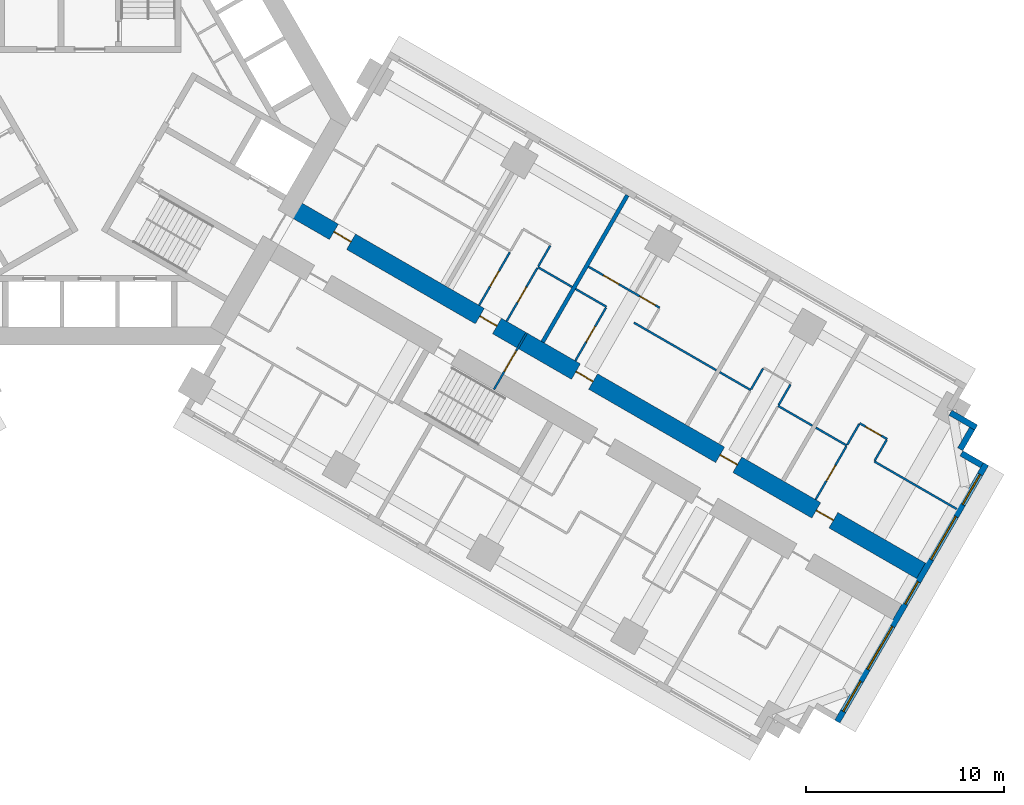
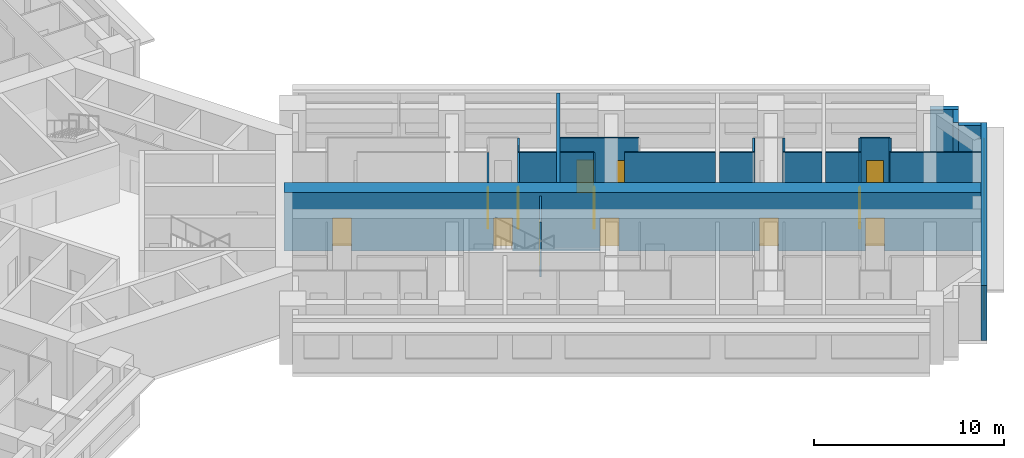
# One storey, part 12 of 16: 25 walls, 13 doors, 5 windows, 18 openings.
"""IFC4 building model written with IfcOpenShell, lengths in metres."""

from ifc_helpers import new_model, si_unit, direction, frame, frame_2d, origin, place, context, subcontext, project, spatial, rectangle, extrude, material, layer, layer_set, type_object, element, fill, save


model = new_model("IFC4")

# Units and contexts
model_context = context("Model", 3, precision=1e-05, world=origin(), true_north=direction((0.0, 1.0)))
body_context = subcontext(model_context, "Body", "Model", "MODEL_VIEW")
ifc_project = project(units=[si_unit("LENGTHUNIT", "METRE"), si_unit("AREAUNIT", "SQUARE_METRE"), si_unit("VOLUMEUNIT", "CUBIC_METRE"), si_unit("PLANEANGLEUNIT", "RADIAN"), si_unit("MASSUNIT", "GRAM", prefix="KILO")], contexts=[model_context])

# Site, building, storey
site_placement = place(None, origin())
site = spatial("IfcSite", under=ifc_project, at=site_placement, CompositionType="ELEMENT")
building_placement = place(site_placement, origin())
building = spatial("IfcBuilding", under=site, at=building_placement, Name="Impinga Residences", CompositionType="ELEMENT")
storey_placement = place(building_placement, frame((0.0, 0.0, 52.25)))
storey = spatial("IfcBuildingStorey", under=building, at=storey_placement, Name="L12", CompositionType="ELEMENT", Elevation=52.25)

# Wall, openings, doors
ifc_material_1 = material(Name="Concrete C70/85", Category="concrete")
ifc_layer_1 = layer(ifc_material_1, 0.89990234375)
ifc_layer_set_1 = layer_set([ifc_layer_1], Name="Concrete C70/85")
wall_type_1 = type_object("IfcWallType", Name="BW1 corridor buttress wall, L05 to L22 900", PredefinedType="SHEAR", material=ifc_layer_set_1)
wall_1_placement = place(storey_placement, frame((10.1103515625, -4.451416015625, 0.0), z_axis=(0.0, 0.0, 1.0), x_axis=(0.866025284237, -0.500000207062, 0.0)))
wall_1 = element("IfcWall", 1, at=wall_1_placement, inside=storey, type_object=wall_type_1, Name="Corridor wall BW1 EC L12", PredefinedType="SHEAR", context=body_context, shape_type="SweptSolid", body=[
    extrude(rectangle(XDim=36.75, YDim=0.89990234375, at=frame_2d((18.375, 0.0))), origin(), (0.0, 0.0, 1.0), 3.75),
])
opening_1_placement = place(wall_1_placement, frame((2.550048828125, 0.0, 0.0)))
opening_1 = element("IfcOpeningElement", 2, at=opening_1_placement, cuts=wall_1, Name="Opening D1", PredefinedType="OPENING", context=body_context, shape_type="SweptSolid", body=[
    extrude(rectangle(XDim=1.0, YDim=2.10009765625, at=frame_2d((0.5, 1.050048828125))), frame((0.0, 0.4599609375, 0.0), z_axis=(0.0, -1.0, 0.0), x_axis=(1.0, 0.0, 0.0)), (0.0, 0.0, 1.0), 0.919921875),
])
opening_2_placement = place(wall_1_placement, frame((11.050048828125, 0.0, 0.0)))
opening_2 = element("IfcOpeningElement", 3, at=opening_2_placement, cuts=wall_1, Name="Opening D1", PredefinedType="OPENING", context=body_context, shape_type="SweptSolid", body=[
    extrude(rectangle(XDim=1.0, YDim=2.10009765625, at=frame_2d((0.5, 1.050048828125))), frame((0.0, 0.4599609375, 0.0), z_axis=(0.0, -1.0, 0.0), x_axis=(1.0, 0.0, 0.0)), (0.0, 0.0, 1.0), 0.919921875),
])
opening_3_placement = place(wall_1_placement, frame((16.64990234375, 0.0, 0.0)))
opening_3 = element("IfcOpeningElement", 4, at=opening_3_placement, cuts=wall_1, Name="Opening D1", PredefinedType="OPENING", context=body_context, shape_type="SweptSolid", body=[
    extrude(rectangle(XDim=1.0, YDim=2.10009765625, at=frame_2d((0.5, 1.050048828125))), frame((0.0, 0.4599609375, 0.0), z_axis=(0.0, -1.0, 0.0), x_axis=(1.0, 0.0, 0.0)), (0.0, 0.0, 1.0), 0.919921875),
])
opening_4_placement = place(wall_1_placement, frame((25.050048828125, 0.0, 0.0)))
opening_4 = element("IfcOpeningElement", 5, at=opening_4_placement, cuts=wall_1, Name="Opening D1", PredefinedType="OPENING", context=body_context, shape_type="SweptSolid", body=[
    extrude(rectangle(XDim=1.0, YDim=2.10009765625, at=frame_2d((0.5, 1.050048828125))), frame((0.0, 0.4599609375, 0.0), z_axis=(0.0, -1.0, 0.0), x_axis=(1.0, 0.0, 0.0)), (0.0, 0.0, 1.0), 0.919921875),
])
opening_5_placement = place(wall_1_placement, frame((30.64990234375, 0.0, 0.0)))
opening_5 = element("IfcOpeningElement", 6, at=opening_5_placement, cuts=wall_1, Name="Opening D1", PredefinedType="OPENING", context=body_context, shape_type="SweptSolid", body=[
    extrude(rectangle(XDim=1.0, YDim=2.10009765625, at=frame_2d((0.5, 1.050048828125))), frame((0.0, 0.4599609375, 0.0), z_axis=(0.0, -1.0, 0.0), x_axis=(1.0, 0.0, 0.0)), (0.0, 0.0, 1.0), 0.919921875),
])
ifc_material_2 = material(Name="Timber door set", Category="wood")
door_type_1 = type_object("IfcDoorType", Name="D1 apartment entrance door 1000x2100", OperationType="SINGLE_SWING_LEFT", PredefinedType="DOOR", material=ifc_material_2)
door_1_placement = place(opening_1_placement, origin())
door_1 = element("IfcDoor", 7, at=door_1_placement, inside=storey, type_object=door_type_1, Name="Apartment L12-EA1 entrance", OperationType="SINGLE_SWING_LEFT", OverallHeight=2.10009765625, OverallWidth=1.0, PredefinedType="DOOR", context=body_context, shape_type="SweptSolid", body=[
    extrude(rectangle(XDim=1.0, YDim=2.10009765625, at=frame_2d((0.5, 1.050048828125))), frame((0.0, 0.02490234375, 0.0), z_axis=(0.0, -1.0, 0.0), x_axis=(1.0, 0.0, 0.0)), (0.0, 0.0, 1.0), 0.050048828125),
])
fill(opening_1, door_1)
door_2_placement = place(opening_2_placement, origin())
door_2 = element("IfcDoor", 8, at=door_2_placement, inside=storey, type_object=door_type_1, Name="Apartment L12-EA2 entrance", OperationType="SINGLE_SWING_LEFT", OverallHeight=2.10009765625, OverallWidth=1.0, PredefinedType="DOOR", context=body_context, shape_type="SweptSolid", body=[
    extrude(rectangle(XDim=1.0, YDim=2.10009765625, at=frame_2d((0.5, 1.050048828125))), frame((0.0, 0.02490234375, 0.0), z_axis=(0.0, -1.0, 0.0), x_axis=(1.0, 0.0, 0.0)), (0.0, 0.0, 1.0), 0.050048828125),
])
fill(opening_2, door_2)
door_3_placement = place(opening_3_placement, origin())
door_3 = element("IfcDoor", 9, at=door_3_placement, inside=storey, type_object=door_type_1, Name="Apartment L12-EA3 entrance", OperationType="SINGLE_SWING_LEFT", OverallHeight=2.10009765625, OverallWidth=1.0, PredefinedType="DOOR", context=body_context, shape_type="SweptSolid", body=[
    extrude(rectangle(XDim=1.0, YDim=2.10009765625, at=frame_2d((0.5, 1.050048828125))), frame((0.0, 0.02490234375, 0.0), z_axis=(0.0, -1.0, 0.0), x_axis=(1.0, 0.0, 0.0)), (0.0, 0.0, 1.0), 0.050048828125),
])
fill(opening_3, door_3)
door_4_placement = place(opening_4_placement, origin())
door_4 = element("IfcDoor", 10, at=door_4_placement, inside=storey, type_object=door_type_1, Name="Apartment L12-EA4 entrance", OperationType="SINGLE_SWING_RIGHT", OverallHeight=2.10009765625, OverallWidth=1.0, PredefinedType="DOOR", context=body_context, shape_type="SweptSolid", body=[
    extrude(rectangle(XDim=1.0, YDim=2.10009765625, at=frame_2d((0.5, 1.050048828125))), frame((0.0, 0.02490234375, 0.0), z_axis=(0.0, -1.0, 0.0), x_axis=(1.0, 0.0, 0.0)), (0.0, 0.0, 1.0), 0.050048828125),
])
fill(opening_4, door_4)
door_5_placement = place(opening_5_placement, origin())
door_5 = element("IfcDoor", 11, at=door_5_placement, inside=storey, type_object=door_type_1, Name="Apartment L12-EA5 entrance", OperationType="SINGLE_SWING_RIGHT", OverallHeight=2.10009765625, OverallWidth=1.0, PredefinedType="DOOR", context=body_context, shape_type="SweptSolid", body=[
    extrude(rectangle(XDim=1.0, YDim=2.10009765625, at=frame_2d((0.5, 1.050048828125))), frame((0.0, 0.02490234375, 0.0), z_axis=(0.0, -1.0, 0.0), x_axis=(1.0, 0.0, 0.0)), (0.0, 0.0, 1.0), 0.050048828125),
])
fill(opening_5, door_5)

# Wall, opening, door
ifc_material_3 = material(Name="Concrete blockwork", Category="masonry")
ifc_layer_2 = layer(ifc_material_3, 0.10009765625)
ifc_layer_set_2 = layer_set([ifc_layer_2], Name="CP1 core room partition, blockwork 100")
wall_type_2 = type_object("IfcWallType", Name="CP1 core room partition, blockwork 100", PredefinedType="PARTITIONING", material=ifc_layer_set_2)
wall_2_placement = place(storey_placement, frame((22.042724609375, -10.821044921875, 0.0), z_axis=(0.0, 0.0, 1.0), x_axis=(-0.50002983664, -0.866008176907, 0.0)))
wall_2 = element("IfcWall", 12, at=wall_2_placement, inside=storey, type_object=wall_type_2, Name="Core room partition, blockwork L12:E:SCR", PredefinedType="PARTITIONING", context=body_context, shape_type="SweptSolid", body=[
    extrude(rectangle(XDim=3.300048828125, YDim=0.10009765625, at=frame_2d((1.64990234375, 0.0))), origin(), (0.0, 0.0, 1.0), 3.530029296875),
])
opening_6_placement = place(wall_2_placement, frame((1.050048828125, 0.0, 0.0)))
opening_6 = element("IfcOpeningElement", 13, at=opening_6_placement, cuts=wall_2, Name="Opening D3", PredefinedType="OPENING", context=body_context, shape_type="SweptSolid", body=[
    extrude(rectangle(XDim=1.199951171875, YDim=2.10009765625, at=frame_2d((0.60009765625, 1.050048828125))), frame((0.0, 0.06005859375, 0.0), z_axis=(0.0, -1.0, 0.0), x_axis=(1.0, 0.0, 0.0)), (0.0, 0.0, 1.0), 0.1201171875),
])
door_type_2 = type_object("IfcDoorType", Name="D3 room door, leaf and a half 1200x2100", OperationType="DOUBLE_SWING_LEFT", PredefinedType="DOOR", material=ifc_material_2)
door_6_placement = place(opening_6_placement, origin())
door_6 = element("IfcDoor", 14, at=door_6_placement, inside=storey, type_object=door_type_2, Name="Corridor smoke door E", OperationType="DOUBLE_SWING_LEFT", OverallHeight=2.10009765625, OverallWidth=1.199951171875, PredefinedType="DOOR", context=body_context, shape_type="SweptSolid", body=[
    extrude(rectangle(XDim=1.199951171875, YDim=2.10009765625, at=frame_2d((0.60009765625, 1.050048828125))), frame((0.0, 0.02490234375, 0.0), z_axis=(0.0, -1.0, 0.0), x_axis=(1.0, 0.0, 0.0)), (0.0, 0.0, 1.0), 0.050048828125),
])
fill(opening_6, door_6)

# Walls
ifc_material_4 = material(Name="Terracotta rainscreen on blockwork", Category="masonry")
ifc_layer_3 = layer(ifc_material_4, 0.300048828125)
ifc_layer_set_3 = layer_set([ifc_layer_3], Name="EW1 external wall, terracotta rainscreen on blockwork 300")
wall_type_3 = type_object("IfcWallType", Name="EW1 external wall, terracotta rainscreen on blockwork 300", PredefinedType="SOLIDWALL", material=ifc_layer_set_3)
wall_3_placement = place(storey_placement, frame((43.42333984375, -14.8515625, 0.0), z_axis=(0.0, 0.0, 1.0), x_axis=(0.866031096941, -0.499990139034, 0.0)))
element("IfcWall", 15, at=wall_3_placement, inside=storey, type_object=wall_type_3, Name="External wall EW1 L12", PredefinedType="SOLIDWALL", context=body_context, shape_type="SweptSolid", body=[
    extrude(rectangle(XDim=1.5, YDim=0.300048828125, at=frame_2d((0.75, 0.0))), origin(), (0.0, 0.0, 1.0), 3.530029296875),
])
wall_4_placement = place(storey_placement, frame((44.517578125, -15.65625, 0.0), z_axis=(0.0, 0.0, 1.0), x_axis=(-0.500033551112, -0.866006032174, 0.0)))
element("IfcWall", 16, at=wall_4_placement, inside=storey, type_object=wall_type_3, Name="External wall EW1 L12", PredefinedType="SOLIDWALL", context=body_context, shape_type="SweptSolid", body=[
    extrude(rectangle(XDim=1.2001953125, YDim=0.300048828125, at=frame_2d((0.60009765625, 0.0))), origin(), (0.0, 0.0, 1.0), 3.530029296875),
])
wall_5_placement = place(storey_placement, frame((43.976806640625, -16.903076171875, 0.0), z_axis=(0.0, 0.0, 1.0), x_axis=(0.866059708757, -0.499940577336, 0.0)))
element("IfcWall", 17, at=wall_5_placement, inside=storey, type_object=wall_type_3, Name="External wall EW1 L12", PredefinedType="SOLIDWALL", context=body_context, shape_type="SweptSolid", body=[
    extrude(rectangle(XDim=1.195068359375, YDim=0.300048828125, at=frame_2d((0.59765625, 0.0))), origin(), (0.0, 0.0, 1.0), 3.530029296875),
])

# Wall, openings, windows
wall_6_placement = place(storey_placement, frame((45.216552734375, -17.445556640625, 0.0), z_axis=(0.0, 0.0, 1.0), x_axis=(-0.499997186618, -0.866027028085, 0.0)))
wall_6 = element("IfcWall", 18, at=wall_6_placement, inside=storey, type_object=wall_type_3, Name="External wall EW1 L12", PredefinedType="SOLIDWALL", context=body_context, shape_type="SweptSolid", body=[
    extrude(rectangle(XDim=15.0, YDim=0.300048828125, at=frame_2d((7.5, 0.0))), origin(), (0.0, 0.0, 1.0), 3.530029296875),
])
opening_7_placement = place(wall_6_placement, frame((0.60009765625, 0.0, 0.89990234375)))
opening_7 = element("IfcOpeningElement", 19, at=opening_7_placement, cuts=wall_6, Name="Opening W1", PredefinedType="OPENING", context=body_context, shape_type="SweptSolid", body=[
    extrude(rectangle(XDim=1.75, YDim=2.050048828125, at=frame_2d((0.875, 1.02490234375))), frame((0.0, 0.159912109375, 0.0), z_axis=(0.0, -1.0, 0.0), x_axis=(1.0, 0.0, 0.0)), (0.0, 0.0, 1.0), 0.320068359375),
])
opening_8_placement = place(wall_6_placement, frame((3.050048828125, 0.0, 0.89990234375)))
opening_8 = element("IfcOpeningElement", 20, at=opening_8_placement, cuts=wall_6, Name="Opening W2", PredefinedType="OPENING", context=body_context, shape_type="SweptSolid", body=[
    extrude(rectangle(XDim=2.5, YDim=2.050048828125, at=frame_2d((1.25, 1.02490234375))), frame((0.0, 0.159912109375, 0.0), z_axis=(0.0, -1.0, 0.0), x_axis=(1.0, 0.0, 0.0)), (0.0, 0.0, 1.0), 0.320068359375),
])
opening_9_placement = place(wall_6_placement, frame((6.85009765625, 0.0, 0.89990234375)))
opening_9 = element("IfcOpeningElement", 21, at=opening_9_placement, cuts=wall_6, Name="Opening WE1", PredefinedType="OPENING", context=body_context, shape_type="SweptSolid", body=[
    extrude(rectangle(XDim=1.300048828125, YDim=2.050048828125, at=frame_2d((0.64990234375, 1.02490234375))), frame((0.0, 0.159912109375, 0.0), z_axis=(0.0, -1.0, 0.0), x_axis=(1.0, 0.0, 0.0)), (0.0, 0.0, 1.0), 0.320068359375),
])
opening_10_placement = place(wall_6_placement, frame((9.449951171875, 0.0, 0.89990234375)))
opening_10 = element("IfcOpeningElement", 22, at=opening_10_placement, cuts=wall_6, Name="Opening W2", PredefinedType="OPENING", context=body_context, shape_type="SweptSolid", body=[
    extrude(rectangle(XDim=2.5, YDim=2.050048828125, at=frame_2d((1.25, 1.02490234375))), frame((0.0, 0.159912109375, 0.0), z_axis=(0.0, -1.0, 0.0), x_axis=(1.0, 0.0, 0.0)), (0.0, 0.0, 1.0), 0.320068359375),
])
opening_11_placement = place(wall_6_placement, frame((12.64990234375, 0.0, 0.89990234375)))
opening_11 = element("IfcOpeningElement", 23, at=opening_11_placement, cuts=wall_6, Name="Opening W1", PredefinedType="OPENING", context=body_context, shape_type="SweptSolid", body=[
    extrude(rectangle(XDim=1.75, YDim=2.050048828125, at=frame_2d((0.875, 1.02490234375))), frame((0.0, 0.159912109375, 0.0), z_axis=(0.0, -1.0, 0.0), x_axis=(1.0, 0.0, 0.0)), (0.0, 0.0, 1.0), 0.320068359375),
])
ifc_material_5 = material(Name="Aluminium window, clear double glazing", Category="aluminium")
window_type_1 = type_object("IfcWindowType", Name="W1 ribbon window 1750x2050", PartitioningType="SINGLE_PANEL", PredefinedType="WINDOW", material=ifc_material_5)
window_1_placement = place(opening_7_placement, origin())
window_1 = element("IfcWindow", 24, at=window_1_placement, inside=storey, type_object=window_type_1, Name="Window L12", OverallHeight=2.050048828125, OverallWidth=1.75, PartitioningType="SINGLE_PANEL", PredefinedType="WINDOW", context=body_context, shape_type="SweptSolid", body=[
    extrude(rectangle(XDim=1.75, YDim=2.050048828125, at=frame_2d((0.875, 1.02490234375))), frame((0.0, 0.030029296875, 0.0), z_axis=(0.0, -1.0, 0.0), x_axis=(1.0, 0.0, 0.0)), (0.0, 0.0, 1.0), 0.06005859375),
])
fill(opening_7, window_1)
window_2_placement = place(opening_11_placement, origin())
window_2 = element("IfcWindow", 25, at=window_2_placement, inside=storey, type_object=window_type_1, Name="Window L12", OverallHeight=2.050048828125, OverallWidth=1.75, PartitioningType="SINGLE_PANEL", PredefinedType="WINDOW", context=body_context, shape_type="SweptSolid", body=[
    extrude(rectangle(XDim=1.75, YDim=2.050048828125, at=frame_2d((0.875, 1.02490234375))), frame((0.0, 0.030029296875, 0.0), z_axis=(0.0, -1.0, 0.0), x_axis=(1.0, 0.0, 0.0)), (0.0, 0.0, 1.0), 0.06005859375),
])
fill(opening_11, window_2)
window_type_2 = type_object("IfcWindowType", Name="W2 ribbon window 2500x2050", PartitioningType="SINGLE_PANEL", PredefinedType="WINDOW", material=ifc_material_5)
window_3_placement = place(opening_8_placement, origin())
window_3 = element("IfcWindow", 26, at=window_3_placement, inside=storey, type_object=window_type_2, Name="Window L12", OverallHeight=2.050048828125, OverallWidth=2.5, PartitioningType="SINGLE_PANEL", PredefinedType="WINDOW", context=body_context, shape_type="SweptSolid", body=[
    extrude(rectangle(XDim=2.5, YDim=2.050048828125, at=frame_2d((1.25, 1.02490234375))), frame((0.0, 0.030029296875, 0.0), z_axis=(0.0, -1.0, 0.0), x_axis=(1.0, 0.0, 0.0)), (0.0, 0.0, 1.0), 0.06005859375),
])
fill(opening_8, window_3)
window_4_placement = place(opening_10_placement, origin())
window_4 = element("IfcWindow", 27, at=window_4_placement, inside=storey, type_object=window_type_2, Name="Window L12", OverallHeight=2.050048828125, OverallWidth=2.5, PartitioningType="SINGLE_PANEL", PredefinedType="WINDOW", context=body_context, shape_type="SweptSolid", body=[
    extrude(rectangle(XDim=2.5, YDim=2.050048828125, at=frame_2d((1.25, 1.02490234375))), frame((0.0, 0.030029296875, 0.0), z_axis=(0.0, -1.0, 0.0), x_axis=(1.0, 0.0, 0.0)), (0.0, 0.0, 1.0), 0.06005859375),
])
fill(opening_10, window_4)
window_type_3 = type_object("IfcWindowType", Name="WE1 corridor window 1300x2050", PartitioningType="SINGLE_PANEL", PredefinedType="WINDOW", material=ifc_material_5)
window_5_placement = place(opening_9_placement, origin())
window_5 = element("IfcWindow", 28, at=window_5_placement, inside=storey, type_object=window_type_3, Name="Window L12", OverallHeight=2.050048828125, OverallWidth=1.300048828125, PartitioningType="SINGLE_PANEL", PredefinedType="WINDOW", context=body_context, shape_type="SweptSolid", body=[
    extrude(rectangle(XDim=1.300048828125, YDim=2.050048828125, at=frame_2d((0.64990234375, 1.02490234375))), frame((0.0, 0.030029296875, 0.0), z_axis=(0.0, -1.0, 0.0), x_axis=(1.0, 0.0, 0.0)), (0.0, 0.0, 1.0), 0.06005859375),
])
fill(opening_9, window_5)

# Walls
ifc_material_6 = material(Name="Gypsum board on steel studs", Category="steel")
ifc_layer_4 = layer(ifc_material_6, 0.10009765625)
ifc_layer_set_4 = layer_set([ifc_layer_4], Name="Gypsum board on steel studs")
wall_type_4 = type_object("IfcWallType", Name="IP1 partition 100", PredefinedType="PARTITIONING", material=ifc_layer_set_4)
wall_7_placement = place(storey_placement, frame((22.605712890625, -7.5087890625, 0.0), z_axis=(0.0, 0.0, 1.0), x_axis=(0.866010750942, -0.50002537861, 0.0)))
element("IfcWall", 29, at=wall_7_placement, inside=storey, type_object=wall_type_4, Name="Partition L12-EA2:DIV1", PredefinedType="PARTITIONING", context=body_context, shape_type="SweptSolid", body=[
    extrude(rectangle(XDim=2.0, YDim=0.10009765625, at=frame_2d((1.0, 0.0))), origin(), (0.0, 0.0, 1.0), 3.530029296875),
])
wall_8_placement = place(storey_placement, frame((22.630615234375, -7.465576171875, 0.0), z_axis=(0.0, 0.0, 1.0), x_axis=(0.500033551112, 0.866006032174, 0.0)))
element("IfcWall", 30, at=wall_8_placement, inside=storey, type_object=wall_type_4, Name="Partition L12-EA2:SE1", PredefinedType="PARTITIONING", context=body_context, shape_type="SweptSolid", body=[
    extrude(rectangle(XDim=1.2001953125, YDim=0.10009765625, at=frame_2d((0.60009765625, 0.0))), origin(), (0.0, 0.0, 1.0), 3.530029296875),
])

# Wall, opening, door
wall_9_placement = place(storey_placement, frame((19.64501953125, -9.436767578125, 0.0), z_axis=(0.0, 0.0, 1.0), x_axis=(0.500026960575, 0.86600983753, 0.0)))
wall_9 = element("IfcWall", 31, at=wall_9_placement, inside=storey, type_object=wall_type_4, Name="Partition L12-EA2:IB1", PredefinedType="PARTITIONING", context=body_context, shape_type="SweptSolid", body=[
    extrude(rectangle(XDim=3.099853515625, YDim=0.10009765625, at=frame_2d((1.5498046875, 0.0))), origin(), (0.0, 0.0, 1.0), 3.530029296875),
])
opening_12_placement = place(wall_9_placement, frame((1.10009765625, 0.0, 0.0)))
opening_12 = element("IfcOpeningElement", 32, at=opening_12_placement, cuts=wall_9, Name="Opening D2", PredefinedType="OPENING", context=body_context, shape_type="SweptSolid", body=[
    extrude(rectangle(XDim=0.89990234375, YDim=2.10009765625, at=frame_2d((0.449951171875, 1.050048828125))), frame((0.0, 0.06005859375, 0.0), z_axis=(0.0, -1.0, 0.0), x_axis=(1.0, 0.0, 0.0)), (0.0, 0.0, 1.0), 0.1201171875),
])
door_type_3 = type_object("IfcDoorType", Name="D2 internal door 900x2100", OperationType="SINGLE_SWING_LEFT", PredefinedType="DOOR", material=ifc_material_2)
door_7_placement = place(opening_12_placement, origin())
door_7 = element("IfcDoor", 33, at=door_7_placement, inside=storey, type_object=door_type_3, Name="Apartment L12-EA2 bathroom door", OperationType="SINGLE_SWING_LEFT", OverallHeight=2.10009765625, OverallWidth=0.89990234375, PredefinedType="DOOR", context=body_context, shape_type="SweptSolid", body=[
    extrude(rectangle(XDim=0.89990234375, YDim=2.10009765625, at=frame_2d((0.449951171875, 1.050048828125))), frame((0.0, 0.02490234375, 0.0), z_axis=(0.0, -1.0, 0.0), x_axis=(1.0, 0.0, 0.0)), (0.0, 0.0, 1.0), 0.050048828125),
])
fill(opening_12, door_7)

wall_10_placement = place(storey_placement, frame((21.03076171875, -10.23681640625, 0.0), z_axis=(0.0, 0.0, 1.0), x_axis=(0.500026960575, 0.86600983753, 0.0)))
wall_10 = element("IfcWall", 34, at=wall_10_placement, inside=storey, type_object=wall_type_4, Name="Partition L12-EA2:IB2", PredefinedType="PARTITIONING", context=body_context, shape_type="SweptSolid", body=[
    extrude(rectangle(XDim=3.099853515625, YDim=0.10009765625, at=frame_2d((1.5498046875, 0.0))), origin(), (0.0, 0.0, 1.0), 3.530029296875),
])
opening_13_placement = place(wall_10_placement, frame((1.10009765625, 0.0, 0.0)))
opening_13 = element("IfcOpeningElement", 35, at=opening_13_placement, cuts=wall_10, Name="Opening D2", PredefinedType="OPENING", context=body_context, shape_type="SweptSolid", body=[
    extrude(rectangle(XDim=0.89990234375, YDim=2.10009765625, at=frame_2d((0.449951171875, 1.050048828125))), frame((0.0, 0.06005859375, 0.0), z_axis=(0.0, -1.0, 0.0), x_axis=(1.0, 0.0, 0.0)), (0.0, 0.0, 1.0), 0.1201171875),
])
door_8_placement = place(opening_13_placement, origin())
door_8 = element("IfcDoor", 36, at=door_8_placement, inside=storey, type_object=door_type_3, Name="Apartment L12-EA2 WC door", OperationType="SINGLE_SWING_LEFT", OverallHeight=2.10009765625, OverallWidth=0.89990234375, PredefinedType="DOOR", context=body_context, shape_type="SweptSolid", body=[
    extrude(rectangle(XDim=0.89990234375, YDim=2.10009765625, at=frame_2d((0.449951171875, 1.050048828125))), frame((0.0, 0.02490234375, 0.0), z_axis=(0.0, -1.0, 0.0), x_axis=(1.0, 0.0, 0.0)), (0.0, 0.0, 1.0), 0.050048828125),
])
fill(opening_13, door_8)

# Walls
wall_11_placement = place(storey_placement, frame((24.510986328125, -8.60888671875, 0.0), z_axis=(0.0, 0.0, 1.0), x_axis=(0.866047807691, -0.499961193289, 0.0)))
element("IfcWall", 37, at=wall_11_placement, inside=storey, type_object=wall_type_4, Name="Partition L12-EA3:DIV0", PredefinedType="PARTITIONING", context=body_context, shape_type="SweptSolid", body=[
    extrude(rectangle(XDim=1.800048828125, YDim=0.10009765625, at=frame_2d((0.89990234375, 0.0))), origin(), (0.0, 0.0, 1.0), 3.530029296875),
])
wall_12_placement = place(storey_placement, frame((27.45556640625, -10.308837890625, 0.0), z_axis=(0.0, 0.0, 1.0), x_axis=(0.866024647952, -0.500001309137, 0.0)))
element("IfcWall", 38, at=wall_12_placement, inside=storey, type_object=wall_type_4, Name="Partition L12-EA3:DIV1", PredefinedType="PARTITIONING", context=body_context, shape_type="SweptSolid", body=[
    extrude(rectangle(XDim=4.7998046875, YDim=0.10009765625, at=frame_2d((2.39990234375, 0.0))), origin(), (0.0, 0.0, 1.0), 3.530029296875),
])

# Wall, openings, doors
wall_13_placement = place(storey_placement, frame((25.160888671875, -7.48291015625, 0.0), z_axis=(0.0, 0.0, 1.0), x_axis=(0.866004344652, -0.500036473714, 0.0)))
wall_13 = element("IfcWall", 39, at=wall_13_placement, inside=storey, type_object=wall_type_4, Name="Partition L12-EA3:STRIP", PredefinedType="PARTITIONING", context=body_context, shape_type="SweptSolid", body=[
    extrude(rectangle(XDim=4.150146484375, YDim=0.10009765625, at=frame_2d((2.0751953125, 0.0))), origin(), (0.0, 0.0, 1.0), 3.530029296875),
])
opening_14_placement = place(wall_13_placement, frame((0.875, 0.0, 0.0)))
opening_14 = element("IfcOpeningElement", 40, at=opening_14_placement, cuts=wall_13, Name="Opening D2", PredefinedType="OPENING", context=body_context, shape_type="SweptSolid", body=[
    extrude(rectangle(XDim=0.89990234375, YDim=2.10009765625, at=frame_2d((0.449951171875, 1.050048828125))), frame((0.0, 0.06005859375, 0.0), z_axis=(0.0, -1.0, 0.0), x_axis=(1.0, 0.0, 0.0)), (0.0, 0.0, 1.0), 0.1201171875),
])
opening_15_placement = place(wall_13_placement, frame((3.0, 0.0, 0.0)))
opening_15 = element("IfcOpeningElement", 41, at=opening_15_placement, cuts=wall_13, Name="Opening D2", PredefinedType="OPENING", context=body_context, shape_type="SweptSolid", body=[
    extrude(rectangle(XDim=0.89990234375, YDim=2.10009765625, at=frame_2d((0.449951171875, 1.050048828125))), frame((0.0, 0.06005859375, 0.0), z_axis=(0.0, -1.0, 0.0), x_axis=(1.0, 0.0, 0.0)), (0.0, 0.0, 1.0), 0.1201171875),
])
door_9_placement = place(opening_14_placement, origin())
door_9 = element("IfcDoor", 42, at=door_9_placement, inside=storey, type_object=door_type_3, Name="Apartment L12-EA3 room door", OperationType="SINGLE_SWING_LEFT", OverallHeight=2.10009765625, OverallWidth=0.89990234375, PredefinedType="DOOR", context=body_context, shape_type="SweptSolid", body=[
    extrude(rectangle(XDim=0.89990234375, YDim=2.10009765625, at=frame_2d((0.449951171875, 1.050048828125))), frame((0.0, 0.02490234375, 0.0), z_axis=(0.0, -1.0, 0.0), x_axis=(1.0, 0.0, 0.0)), (0.0, 0.0, 1.0), 0.050048828125),
])
fill(opening_14, door_9)
door_10_placement = place(opening_15_placement, origin())
door_10 = element("IfcDoor", 43, at=door_10_placement, inside=storey, type_object=door_type_3, Name="Apartment L12-EA3 room door", OperationType="SINGLE_SWING_RIGHT", OverallHeight=2.10009765625, OverallWidth=0.89990234375, PredefinedType="DOOR", context=body_context, shape_type="SweptSolid", body=[
    extrude(rectangle(XDim=0.89990234375, YDim=2.10009765625, at=frame_2d((0.449951171875, 1.050048828125))), frame((0.0, 0.02490234375, 0.0), z_axis=(0.0, -1.0, 0.0), x_axis=(1.0, 0.0, 0.0)), (0.0, 0.0, 1.0), 0.050048828125),
])
fill(opening_15, door_10)

# Wall, opening, door
wall_14_placement = place(storey_placement, frame((24.494873046875, -12.23681640625, 0.0), z_axis=(0.0, 0.0, 1.0), x_axis=(0.500026960575, 0.86600983753, 0.0)))
wall_14 = element("IfcWall", 44, at=wall_14_placement, inside=storey, type_object=wall_type_4, Name="Partition L12-EA3:IB1", PredefinedType="PARTITIONING", context=body_context, shape_type="SweptSolid", body=[
    extrude(rectangle(XDim=3.099853515625, YDim=0.10009765625, at=frame_2d((1.5498046875, 0.0))), origin(), (0.0, 0.0, 1.0), 3.530029296875),
])
opening_16_placement = place(wall_14_placement, frame((1.10009765625, 0.0, 0.0)))
opening_16 = element("IfcOpeningElement", 45, at=opening_16_placement, cuts=wall_14, Name="Opening D2", PredefinedType="OPENING", context=body_context, shape_type="SweptSolid", body=[
    extrude(rectangle(XDim=0.89990234375, YDim=2.10009765625, at=frame_2d((0.449951171875, 1.050048828125))), frame((0.0, 0.06005859375, 0.0), z_axis=(0.0, -1.0, 0.0), x_axis=(1.0, 0.0, 0.0)), (0.0, 0.0, 1.0), 0.1201171875),
])
door_11_placement = place(opening_16_placement, origin())
door_11 = element("IfcDoor", 46, at=door_11_placement, inside=storey, type_object=door_type_3, Name="Apartment L12-EA3 bathroom door", OperationType="SINGLE_SWING_LEFT", OverallHeight=2.10009765625, OverallWidth=0.89990234375, PredefinedType="DOOR", context=body_context, shape_type="SweptSolid", body=[
    extrude(rectangle(XDim=0.89990234375, YDim=2.10009765625, at=frame_2d((0.449951171875, 1.050048828125))), frame((0.0, 0.02490234375, 0.0), z_axis=(0.0, -1.0, 0.0), x_axis=(1.0, 0.0, 0.0)), (0.0, 0.0, 1.0), 0.050048828125),
])
fill(opening_16, door_11)

# Walls
wall_15_placement = place(storey_placement, frame((31.78564453125, -12.808837890625, 0.0), z_axis=(0.0, 0.0, 1.0), x_axis=(0.866047807691, -0.499961193289, 0.0)))
element("IfcWall", 47, at=wall_15_placement, inside=storey, type_object=wall_type_4, Name="Partition L12-EA4:DIV0", PredefinedType="PARTITIONING", context=body_context, shape_type="SweptSolid", body=[
    extrude(rectangle(XDim=1.800048828125, YDim=0.10009765625, at=frame_2d((0.89990234375, 0.0))), origin(), (0.0, 0.0, 1.0), 3.530029296875),
])
wall_16_placement = place(storey_placement, frame((34.72998046875, -14.5087890625, 0.0), z_axis=(0.0, 0.0, 1.0), x_axis=(0.866041268327, -0.499972520799, 0.0)))
element("IfcWall", 48, at=wall_16_placement, inside=storey, type_object=wall_type_4, Name="Partition L12-EA4:DIV1", PredefinedType="PARTITIONING", context=body_context, shape_type="SweptSolid", body=[
    extrude(rectangle(XDim=2.0, YDim=0.10009765625, at=frame_2d((1.0, 0.0))), origin(), (0.0, 0.0, 1.0), 3.530029296875),
])
wall_17_placement = place(storey_placement, frame((33.369384765625, -13.66552734375, 0.0), z_axis=(0.0, 0.0, 1.0), x_axis=(0.500033551112, 0.866006032174, 0.0)))
element("IfcWall", 49, at=wall_17_placement, inside=storey, type_object=wall_type_4, Name="Partition L12-EA4:SE0", PredefinedType="PARTITIONING", context=body_context, shape_type="SweptSolid", body=[
    extrude(rectangle(XDim=1.2001953125, YDim=0.10009765625, at=frame_2d((0.60009765625, 0.0))), origin(), (0.0, 0.0, 1.0), 3.530029296875),
])
wall_18_placement = place(storey_placement, frame((34.755126953125, -14.465576171875, 0.0), z_axis=(0.0, 0.0, 1.0), x_axis=(0.499880961361, 0.866094119867, 0.0)))
element("IfcWall", 50, at=wall_18_placement, inside=storey, type_object=wall_type_4, Name="Partition L12-EA4:SE1", PredefinedType="PARTITIONING", context=body_context, shape_type="SweptSolid", body=[
    extrude(rectangle(XDim=1.199951171875, YDim=0.10009765625, at=frame_2d((0.60009765625, 0.0))), origin(), (0.0, 0.0, 1.0), 3.530029296875),
])
wall_19_placement = place(storey_placement, frame((36.63525390625, -15.60888671875, 0.0), z_axis=(0.0, 0.0, 1.0), x_axis=(0.866047807691, -0.499961193289, 0.0)))
element("IfcWall", 51, at=wall_19_placement, inside=storey, type_object=wall_type_4, Name="Partition L12-EA5:DIV0", PredefinedType="PARTITIONING", context=body_context, shape_type="SweptSolid", body=[
    extrude(rectangle(XDim=1.800048828125, YDim=0.10009765625, at=frame_2d((0.89990234375, 0.0))), origin(), (0.0, 0.0, 1.0), 3.530029296875),
])
wall_20_placement = place(storey_placement, frame((39.579833984375, -17.308837890625, 0.0), z_axis=(0.0, 0.0, 1.0), x_axis=(0.866037363387, -0.499979284789, 0.0)))
element("IfcWall", 52, at=wall_20_placement, inside=storey, type_object=wall_type_4, Name="Partition L12-EA5:DIV1", PredefinedType="PARTITIONING", context=body_context, shape_type="SweptSolid", body=[
    extrude(rectangle(XDim=4.800048828125, YDim=0.10009765625, at=frame_2d((2.39990234375, 0.0))), origin(), (0.0, 0.0, 1.0), 3.530029296875),
])

# Wall, opening, door
wall_21_placement = place(storey_placement, frame((38.84423828125, -15.383056640625, 0.0), z_axis=(0.0, 0.0, 1.0), x_axis=(0.865989903783, -0.500061482766, 0.0)))
wall_21 = element("IfcWall", 53, at=wall_21_placement, inside=storey, type_object=wall_type_4, Name="Partition L12-EA5:STRIP", PredefinedType="PARTITIONING", context=body_context, shape_type="SweptSolid", body=[
    extrude(rectangle(XDim=1.599853515625, YDim=0.10009765625, at=frame_2d((0.7998046875, 0.0))), origin(), (0.0, 0.0, 1.0), 3.530029296875),
])
opening_17_placement = place(wall_21_placement, frame((0.35009765625, 0.0, 0.0)))
opening_17 = element("IfcOpeningElement", 54, at=opening_17_placement, cuts=wall_21, Name="Opening D2", PredefinedType="OPENING", context=body_context, shape_type="SweptSolid", body=[
    extrude(rectangle(XDim=0.89990234375, YDim=2.10009765625, at=frame_2d((0.449951171875, 1.050048828125))), frame((0.0, 0.06005859375, 0.0), z_axis=(0.0, -1.0, 0.0), x_axis=(1.0, 0.0, 0.0)), (0.0, 0.0, 1.0), 0.1201171875),
])
door_12_placement = place(opening_17_placement, origin())
door_12 = element("IfcDoor", 55, at=door_12_placement, inside=storey, type_object=door_type_3, Name="Apartment L12-EA5 room door", OperationType="SINGLE_SWING_LEFT", OverallHeight=2.10009765625, OverallWidth=0.89990234375, PredefinedType="DOOR", context=body_context, shape_type="SweptSolid", body=[
    extrude(rectangle(XDim=0.89990234375, YDim=2.10009765625, at=frame_2d((0.449951171875, 1.050048828125))), frame((0.0, 0.02490234375, 0.0), z_axis=(0.0, -1.0, 0.0), x_axis=(1.0, 0.0, 0.0)), (0.0, 0.0, 1.0), 0.050048828125),
])
fill(opening_17, door_12)

# Walls
wall_22_placement = place(storey_placement, frame((38.21923828125, -16.465576171875, 0.0), z_axis=(0.0, 0.0, 1.0), x_axis=(0.499880961361, 0.866094119867, 0.0)))
element("IfcWall", 56, at=wall_22_placement, inside=storey, type_object=wall_type_4, Name="Partition L12-EA5:SE0", PredefinedType="PARTITIONING", context=body_context, shape_type="SweptSolid", body=[
    extrude(rectangle(XDim=1.199951171875, YDim=0.10009765625, at=frame_2d((0.60009765625, 0.0))), origin(), (0.0, 0.0, 1.0), 3.530029296875),
])
wall_23_placement = place(storey_placement, frame((39.604736328125, -17.265625, 0.0), z_axis=(0.0, 0.0, 1.0), x_axis=(0.500033551112, 0.866006032174, 0.0)))
element("IfcWall", 57, at=wall_23_placement, inside=storey, type_object=wall_type_4, Name="Partition L12-EA5:SE1", PredefinedType="PARTITIONING", context=body_context, shape_type="SweptSolid", body=[
    extrude(rectangle(XDim=1.2001953125, YDim=0.10009765625, at=frame_2d((0.60009765625, 0.0))), origin(), (0.0, 0.0, 1.0), 3.530029296875),
])

# Wall, opening, door
wall_24_placement = place(storey_placement, frame((36.619140625, -19.23681640625, 0.0), z_axis=(0.0, 0.0, 1.0), x_axis=(0.500026960575, 0.86600983753, 0.0)))
wall_24 = element("IfcWall", 58, at=wall_24_placement, inside=storey, type_object=wall_type_4, Name="Partition L12-EA5:IB1", PredefinedType="PARTITIONING", context=body_context, shape_type="SweptSolid", body=[
    extrude(rectangle(XDim=3.099853515625, YDim=0.10009765625, at=frame_2d((1.5498046875, 0.0))), origin(), (0.0, 0.0, 1.0), 3.530029296875),
])
opening_18_placement = place(wall_24_placement, frame((1.10009765625, 0.0, 0.0)))
opening_18 = element("IfcOpeningElement", 59, at=opening_18_placement, cuts=wall_24, Name="Opening D2", PredefinedType="OPENING", context=body_context, shape_type="SweptSolid", body=[
    extrude(rectangle(XDim=0.89990234375, YDim=2.10009765625, at=frame_2d((0.449951171875, 1.050048828125))), frame((0.0, 0.06005859375, 0.0), z_axis=(0.0, -1.0, 0.0), x_axis=(1.0, 0.0, 0.0)), (0.0, 0.0, 1.0), 0.1201171875),
])
door_13_placement = place(opening_18_placement, origin())
door_13 = element("IfcDoor", 60, at=door_13_placement, inside=storey, type_object=door_type_3, Name="Apartment L12-EA5 bathroom door", OperationType="SINGLE_SWING_LEFT", OverallHeight=2.10009765625, OverallWidth=0.89990234375, PredefinedType="DOOR", context=body_context, shape_type="SweptSolid", body=[
    extrude(rectangle(XDim=0.89990234375, YDim=2.10009765625, at=frame_2d((0.449951171875, 1.050048828125))), frame((0.0, 0.02490234375, 0.0), z_axis=(0.0, -1.0, 0.0), x_axis=(1.0, 0.0, 0.0)), (0.0, 0.0, 1.0), 0.050048828125),
])
fill(opening_18, door_13)

# Wall
ifc_layer_5 = layer(ifc_material_3, 0.199951171875)
ifc_layer_set_5 = layer_set([ifc_layer_5], Name="PW1 party wall between apartments 200")
wall_type_5 = type_object("IfcWallType", Name="PW1 party wall between apartments 200", PredefinedType="SOLIDWALL", material=ifc_layer_set_5)
wall_25_placement = place(storey_placement, frame((22.849365234375, -11.286865234375, 0.0), z_axis=(0.0, 0.0, 1.0), x_axis=(0.499990227581, 0.86603104582, 0.0)))
element("IfcWall", 61, at=wall_25_placement, inside=storey, type_object=wall_type_5, Name="Party wall between apartments L12-EA2:PARTY", PredefinedType="SOLIDWALL", context=body_context, shape_type="SweptSolid", body=[
    extrude(rectangle(XDim=8.550048828125, YDim=0.199951171875, at=frame_2d((4.27490234375, 0.0))), origin(), (0.0, 0.0, 1.0), 3.530029296875),
])

save(model, "model.ifc")
